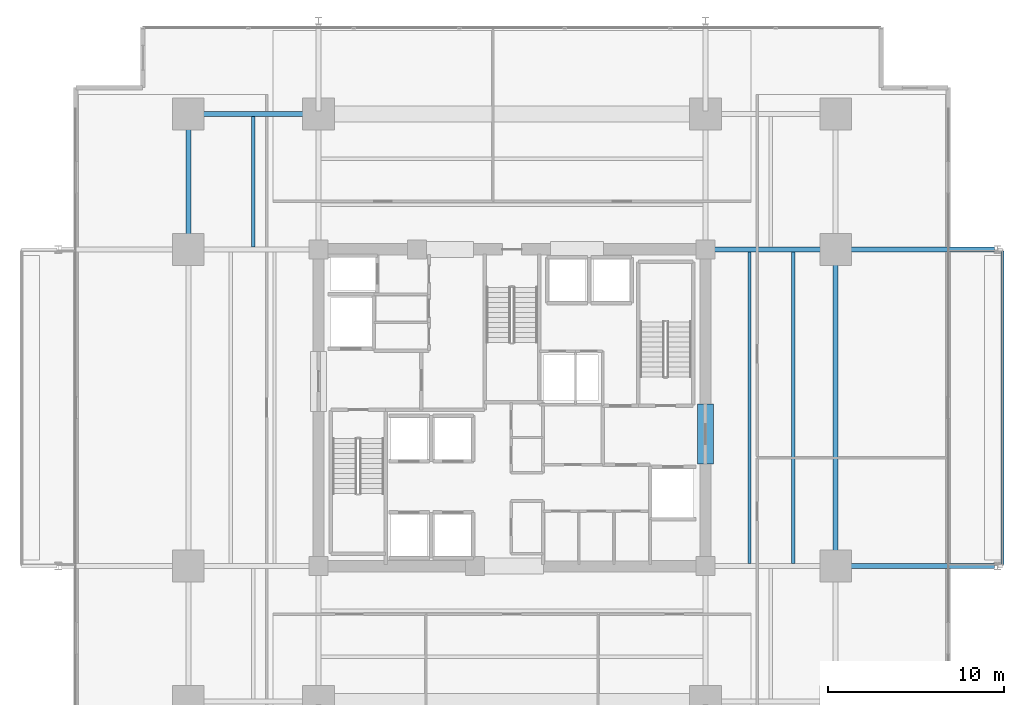
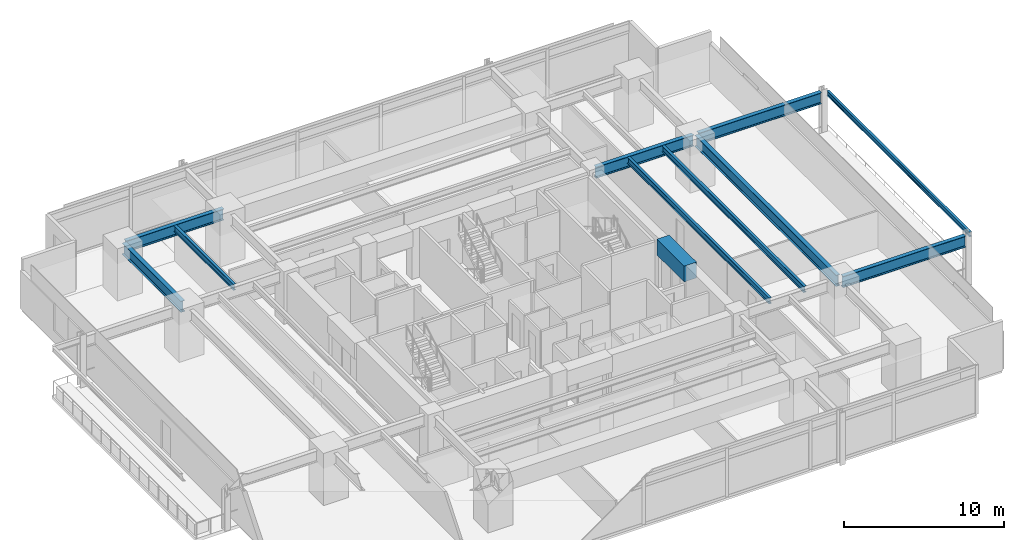
# One storey, part 7 of 21: 11 beams.
"""IFC4 building model written with IfcOpenShell, lengths in metres."""

from ifc_helpers import new_model, si_unit, direction, frame, origin, origin_2d, place, context, subcontext, project, spatial, rectangle, i_section, extrude, material, material_profile, profile_set, type_object, element, save


model = new_model("IFC4")

# Units and contexts
model_context = context("Model", 3, precision=1e-05, world=origin(), true_north=direction((0.0, 1.0)))
body_context = subcontext(model_context, "Body", "Model", "MODEL_VIEW")
ifc_project = project(units=[si_unit("LENGTHUNIT", "METRE"), si_unit("AREAUNIT", "SQUARE_METRE"), si_unit("VOLUMEUNIT", "CUBIC_METRE"), si_unit("PLANEANGLEUNIT", "RADIAN"), si_unit("MASSUNIT", "GRAM", prefix="KILO")], contexts=[model_context])

# Site, building, storey
site_placement = place(None, origin())
site = spatial("IfcSite", under=ifc_project, at=site_placement, CompositionType="ELEMENT")
building_placement = place(site_placement, origin())
building = spatial("IfcBuilding", under=site, at=building_placement, Name="Kovane Verandah Tower", CompositionType="ELEMENT")
storey_placement = place(building_placement, frame((0.0, 0.0, 27.60009765625)))
storey = spatial("IfcBuildingStorey", under=building, at=storey_placement, Name="L05", CompositionType="ELEMENT", Elevation=27.60009765625)

# Beams
ifc_material_1 = material(Name="Concrete C80/95", Category="concrete")
ifc_material_profile_1 = material_profile(ifc_material_1, rectangle(XDim=0.89990234375, YDim=1.199951171875, at=origin_2d()), Name="RCB900x1200")
ifc_profile_set_1 = profile_set([ifc_material_profile_1], Name="Concrete C80/95")
beam_type_1 = type_object("IfcBeamType", Name="BM-LINTEL-900x1200", PredefinedType="LINTEL", material=ifc_profile_set_1)
beam_1_placement = place(storey_placement, frame((51.0, 24.300048828125, 3.159912109375), z_axis=(0.0, 1.0, 0.0), x_axis=(-1.0, 0.0, 0.0)))
element("IfcBeam", 1, at=beam_1_placement, inside=storey, type_object=beam_type_1, Name="L05 Core Coupling Lintel CL-E", PredefinedType="LINTEL", context=body_context, shape_type="SweptSolid", body=[
    extrude(rectangle(XDim=0.89990234375, YDim=1.199951171875, at=origin_2d()), origin(), (0.0, 0.0, 1.0), 3.39990234375),
])
ifc_material_2 = material(Name="Steel S355", Category="steel")
ifc_material_profile_2 = material_profile(ifc_material_2, i_section(OverallWidth=0.293701171875, OverallDepth=0.850830078125, WebThickness=0.01611328125, FlangeThickness=0.02685546875, FilletRadius=0.017822265625, at=origin_2d()), Name="UB838x292x226")
ifc_profile_set_2 = profile_set([ifc_material_profile_2], Name="Steel S355")
beam_type_2 = type_object("IfcBeamType", Name="BM-UB838x226", PredefinedType="BEAM", material=ifc_profile_set_2)
beam_2_placement = place(storey_placement, frame((21.780029296875, 44.199951171875, 3.33447265625), z_axis=(1.0, 0.0, 0.0), x_axis=(0.0, 1.0, 0.0)))
element("IfcBeam", 2, at=beam_2_placement, inside=storey, type_object=beam_type_2, Name="L05 Primary Tower Girder G-RN1", PredefinedType="BEAM", context=body_context, shape_type="SweptSolid", body=[
    extrude(i_section(OverallWidth=0.293701171875, OverallDepth=0.850830078125, WebThickness=0.01611328125, FlangeThickness=0.02685546875, FilletRadius=0.017822265625, at=origin_2d()), origin(), (0.0, 0.0, 1.0), 7.0400390625),
])
beam_3_placement = place(storey_placement, frame((21.60009765625, 36.679931640625, 3.33447265625), z_axis=(0.0, 1.0, 0.0), x_axis=(-1.0, 0.0, 0.0)))
element("IfcBeam", 3, at=beam_3_placement, inside=storey, type_object=beam_type_2, Name="L05 Primary Tower Girder G-RW3", PredefinedType="BEAM", context=body_context, shape_type="SweptSolid", body=[
    extrude(i_section(OverallWidth=0.293701171875, OverallDepth=0.850830078125, WebThickness=0.01611328125, FlangeThickness=0.02685546875, FilletRadius=0.017822265625, at=origin_2d()), origin(), (0.0, 0.0, 1.0), 7.340087890625),
])
beam_4_placement = place(storey_placement, frame((58.39990234375, 18.679931640625, 3.33447265625), z_axis=(0.0, 1.0, 0.0), x_axis=(-1.0, 0.0, 0.0)))
element("IfcBeam", 4, at=beam_4_placement, inside=storey, type_object=beam_type_2, Name="L05 Primary Tower Girder G-RE2", PredefinedType="BEAM", context=body_context, shape_type="SweptSolid", body=[
    extrude(i_section(OverallWidth=0.293701171875, OverallDepth=0.850830078125, WebThickness=0.01611328125, FlangeThickness=0.02685546875, FilletRadius=0.017822265625, at=origin_2d()), origin(), (0.0, 0.0, 1.0), 17.64013671875),
])
beam_5_placement = place(storey_placement, frame((51.179931640625, 36.5, 3.33447265625), z_axis=(1.0, 0.0, 0.0), x_axis=(0.0, 1.0, 0.0)))
element("IfcBeam", 5, at=beam_5_placement, inside=storey, type_object=beam_type_2, Name="L05 Primary Tower Girder G-E2", PredefinedType="BEAM", context=body_context, shape_type="SweptSolid", body=[
    extrude(i_section(OverallWidth=0.293701171875, OverallDepth=0.850830078125, WebThickness=0.01611328125, FlangeThickness=0.02685546875, FilletRadius=0.017822265625, at=origin_2d()), origin(), (0.0, 0.0, 1.0), 7.0400390625),
])
for number, where, z_axis, x_axis, name in (
    (6, (58.580078125, 18.5, 3.33447265625), (1.0, 0.0, 0.0), (0.0, 1.0, 0.0), "L05 Primary Tower Girder G-VE1"),
    (7, (58.580078125, 36.5, 3.33447265625), (1.0, 0.0, 0.0), (0.0, 1.0, 0.0), "L05 Primary Tower Girder G-VE2"),
):
    element("IfcBeam", number, at=place(storey_placement, frame(where, z_axis=z_axis, x_axis=x_axis)), inside=storey, type_object=beam_type_2, Name=name, PredefinedType="BEAM", context=body_context, shape_type="SweptSolid", body=[
        extrude(i_section(OverallWidth=0.293701171875, OverallDepth=0.850830078125, WebThickness=0.01611328125, FlangeThickness=0.02685546875, FilletRadius=0.017822265625, at=origin_2d()), origin(), (0.0, 0.0, 1.0), 8.83984375),
    ])
ifc_material_profile_3 = material_profile(ifc_material_2, i_section(OverallWidth=0.19287109375, OverallDepth=0.46728515625, WebThickness=0.011474609375, FlangeThickness=0.01953125, FilletRadius=0.01025390625, at=origin_2d()), Name="UB457x191x98")
ifc_profile_set_3 = profile_set([ifc_material_profile_3], Name="Steel S355")
beam_type_3 = type_object("IfcBeamType", Name="JST-UB457x98", PredefinedType="JOIST", material=ifc_profile_set_3)
for number, where, z_axis, x_axis, name in (
    (8, (53.5, 18.64501953125, 3.5263671875), (0.0, 1.0, 0.0), (-1.0, 0.0, 0.0), "L05 Secondary Composite Joist J-E1"),
    (9, (56.0, 18.64501953125, 3.5263671875), (0.0, 1.0, 0.0), (-1.0, 0.0, 0.0), "L05 Secondary Composite Joist J-E2"),
):
    element("IfcBeam", number, at=place(storey_placement, frame(where, z_axis=z_axis, x_axis=x_axis)), inside=storey, type_object=beam_type_3, Name=name, PredefinedType="JOIST", context=body_context, shape_type="SweptSolid", body=[
        extrude(i_section(OverallWidth=0.19287109375, OverallDepth=0.46728515625, WebThickness=0.011474609375, FlangeThickness=0.01953125, FilletRadius=0.01025390625, at=origin_2d()), origin(), (0.0, 0.0, 1.0), 17.7099609375),
    ])
beam_6_placement = place(storey_placement, frame((25.300048828125, 36.64501953125, 3.5263671875), z_axis=(0.0, 1.0, 0.0), x_axis=(-1.0, 0.0, 0.0)))
element("IfcBeam", 10, at=beam_6_placement, inside=storey, type_object=beam_type_3, Name="L05 Secondary Composite Joist J-NW1", PredefinedType="JOIST", context=body_context, shape_type="SweptSolid", body=[
    extrude(i_section(OverallWidth=0.19287109375, OverallDepth=0.46728515625, WebThickness=0.011474609375, FlangeThickness=0.01953125, FilletRadius=0.01025390625, at=origin_2d()), origin(), (0.0, 0.0, 1.0), 7.41015625),
])
ifc_material_profile_4 = material_profile(ifc_material_2, i_section(OverallWidth=0.173095703125, OverallDepth=0.36328125, WebThickness=0.009033203125, FlangeThickness=0.015625, FilletRadius=0.01025390625, at=origin_2d()), Name="UB356x171x67")
ifc_profile_set_4 = profile_set([ifc_material_profile_4], Name="Steel S355")
beam_type_4 = type_object("IfcBeamType", Name="SPD-UB356x67", PredefinedType="USERDEFINED", material=ifc_profile_set_4)
beam_7_placement = place(storey_placement, frame((67.8857421875, 18.594482421875, 3.578125), z_axis=(0.0, 1.0, 0.0), x_axis=(-1.0, 0.0, 0.0)))
element("IfcBeam", 11, at=beam_7_placement, inside=storey, type_object=beam_type_4, Name="L05 East Planter Edge Spandrel", ObjectType="SPANDREL", PredefinedType="USERDEFINED", context=body_context, shape_type="SweptSolid", body=[
    extrude(i_section(OverallWidth=0.173095703125, OverallDepth=0.36328125, WebThickness=0.009033203125, FlangeThickness=0.015625, FilletRadius=0.01025390625, at=origin_2d()), origin(), (0.0, 0.0, 1.0), 17.81103515625),
])

save(model, "model.ifc")
